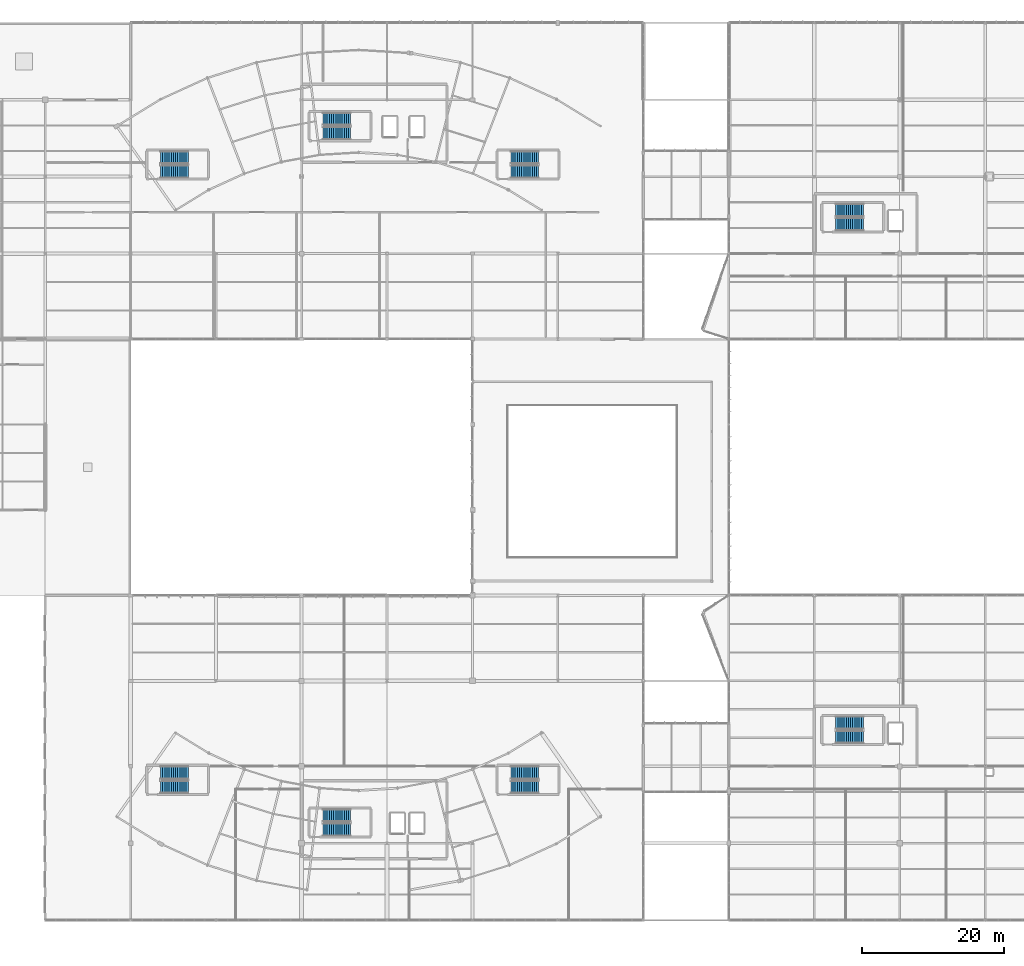
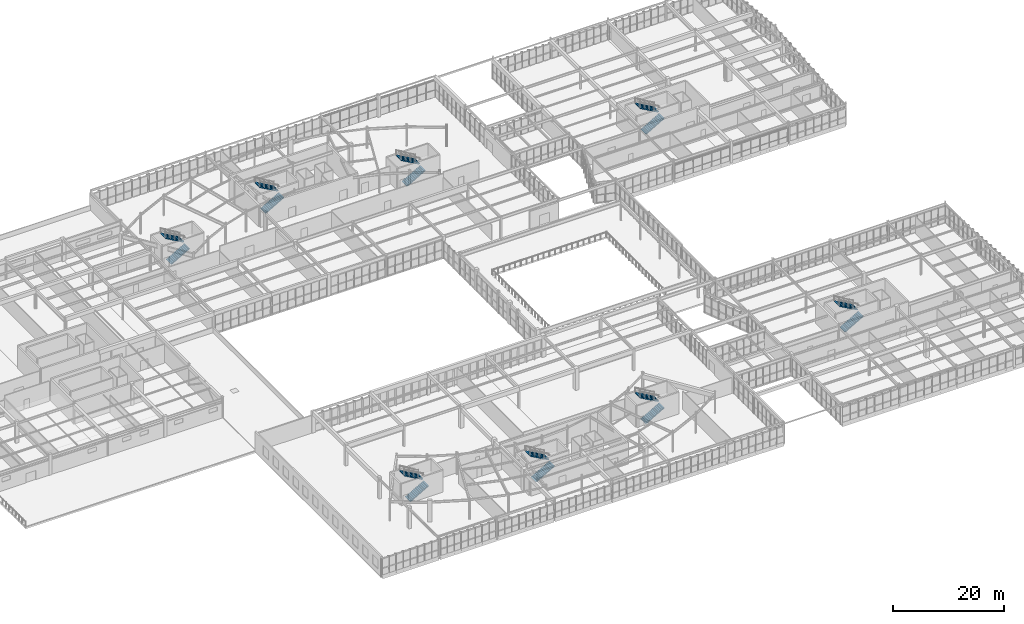
# One storey, part 163 of 186: 16 stair flights, 8 elements without a shape of their own.
"""IFC4 building model written with IfcOpenShell, lengths in metres."""

import ifcopenshell
import ifcopenshell.guid

model = None  # the IFC model being written
_history = None  # IfcOwnerHistory: only IFC2X3 demands one
_inside = {}  # id of a spatial element -> (the spatial element, [elements in it])
_under = {}  # id of a project, library or spatial element -> (it, [spatial elements below it])
_declared = {}  # id of a project -> (the project, [libraries it declares])
_typed = {}  # id of a type object -> (the type object, [elements of that type])
_made_of = {}  # id of a material, layer set ... -> (it, [elements and type objects made of it])


def new_model(schema):
    """Start an empty IFC model of exactly this schema.

    Asked for "IFC4X3", IfcOpenShell would pick the latest addendum, in which some entities
    have other attributes; the version numbers below select the first issue.
    IFC2X3 requires an IfcOwnerHistory on every rooted entity: one is made here for all.
    """
    global model, _history
    if schema == "IFC4X3":
        model = ifcopenshell.file(schema_version=(4, 3, 0, 0))
    else:
        model = ifcopenshell.file(schema=schema)
    _inside.clear()
    _under.clear()
    _declared.clear()
    _typed.clear()
    _made_of.clear()
    _history = None
    if model.schema == "IFC2X3":
        org = make("IfcOrganization", Name="unknown")
        user = make(
            "IfcPersonAndOrganization",
            ThePerson=make("IfcPerson", FamilyName="unknown"),
            TheOrganization=org,
        )
        app = make(
            "IfcApplication",
            ApplicationDeveloper=org,
            Version="unknown",
            ApplicationFullName="unknown",
            ApplicationIdentifier="unknown",
        )
        _history = make(
            "IfcOwnerHistory",
            OwningUser=user,
            OwningApplication=app,
            ChangeAction="ADDED",
            CreationDate=0,
        )
    return model


def make(cls, **values):
    """One entity of the class cls with the attributes given. An attribute that is None is left unset."""
    return model.create_entity(
        cls, **{name: value for name, value in values.items() if value is not None}
    )


def rooted(cls, **values):
    """An entity with a GlobalId (a new one), such as an element, a storey or a relation."""
    return make(cls, GlobalId=ifcopenshell.guid.new(), OwnerHistory=_history, **values)


def si_unit(unit_type, name, prefix=None):
    """IfcSIUnit, for example si_unit("LENGTHUNIT", "METRE", prefix="MILLI")."""
    return make("IfcSIUnit", UnitType=unit_type, Prefix=prefix, Name=name)


def assignment(units):
    """IfcUnitAssignment: the units of a project."""
    return None if units is None else make("IfcUnitAssignment", Units=units)


def point(xyz):
    """IfcCartesianPoint."""
    return None if xyz is None else make("IfcCartesianPoint", Coordinates=xyz)


def direction(xyz):
    """IfcDirection."""
    return None if xyz is None else make("IfcDirection", DirectionRatios=xyz)


def frame(location, z_axis=None, x_axis=None):
    """IfcAxis2Placement3D, a coordinate frame: its origin and axes. An axis left out is left unset."""
    return make(
        "IfcAxis2Placement3D",
        Location=point(location),
        Axis=direction(z_axis),
        RefDirection=direction(x_axis),
    )


def origin():
    """The frame at (0, 0, 0) with its axes left unset."""
    return frame((0.0, 0.0, 0.0))


def place(relative_to, where):
    """IfcLocalPlacement: puts the frame where relative to a parent placement (None: the world)."""
    return make(
        "IfcLocalPlacement", PlacementRelTo=relative_to, RelativePlacement=where
    )


def context(
    kind, dimensions, precision=None, world=None, true_north=None, identifier=None
):
    """IfcGeometricRepresentationContext, for example the 3D "Model" context."""
    return make(
        "IfcGeometricRepresentationContext",
        ContextIdentifier=identifier,
        ContextType=kind,
        CoordinateSpaceDimension=dimensions,
        Precision=precision,
        WorldCoordinateSystem=world,
        TrueNorth=true_north,
    )


def subcontext(parent, identifier, kind, view, scale=None):
    """IfcGeometricRepresentationSubContext, for example "Body" below "Model"."""
    return make(
        "IfcGeometricRepresentationSubContext",
        ContextIdentifier=identifier,
        ContextType=kind,
        ParentContext=parent,
        TargetScale=scale,
        TargetView=view,
    )


def project(units=None, contexts=None):
    """IfcProject with its units and contexts."""
    return rooted(
        "IfcProject",
        Name="project",
        RepresentationContexts=contexts,
        UnitsInContext=assignment(units),
    )


def spatial(cls, under=None, at=None, **own):
    """A site, building, storey or space (cls), placed at a placement, below another one or the project."""
    s = rooted(cls, ObjectPlacement=at, **own)
    if under is not None:
        _under.setdefault(under.id(), (under, []))[1].append(s)
    return s


def polyline(points):
    """IfcPolyline through the points."""
    return make("IfcPolyline", Points=[point(p) for p in points])


def outline(outer, holes=None, kind="AREA"):
    """IfcArbitraryClosedProfileDef: a profile drawn as a closed curve; with holes, ...WithVoids."""
    if holes is None:
        return make("IfcArbitraryClosedProfileDef", ProfileType=kind, OuterCurve=outer)
    return make(
        "IfcArbitraryProfileDefWithVoids",
        ProfileType=kind,
        OuterCurve=outer,
        InnerCurves=holes,
    )


def extrude(swept, where, along, depth):
    """IfcExtrudedAreaSolid: the profile swept, set in the frame where, extruded along a direction by depth."""
    return make(
        "IfcExtrudedAreaSolid",
        SweptArea=swept,
        Position=where,
        ExtrudedDirection=direction(along),
        Depth=depth,
    )


def shape(context_of_items, identifier, shape_type, items):
    """IfcShapeRepresentation: the items that make up one representation, for example the "Body"."""
    return make(
        "IfcShapeRepresentation",
        ContextOfItems=context_of_items,
        RepresentationIdentifier=identifier,
        RepresentationType=shape_type,
        Items=items,
    )


def material(Name=None, Category=None):
    """IfcMaterial."""
    return make("IfcMaterial", Name=Name, Category=Category)


def made_of(thing, what):
    """Note that an element or type object is made of a material, layer set ...; save() writes the relation."""
    if what is not None:
        _made_of.setdefault(what.id(), (what, []))[1].append(thing)
    return thing


def type_object(cls, material=None, **own):
    """A type object (cls), such as IfcWallType, which elements share."""
    return made_of(rooted(cls, **own), material)


def element(
    cls,
    number,
    at=None,
    inside=None,
    cuts=None,
    type_object=None,
    material=None,
    context=None,
    identifier="Body",
    shape_type=None,
    held_by="IfcProductDefinitionShape",
    body=None,
    shapes=None,
    **own,
):
    """One element of the class cls, such as IfcWall. Its Tag is "e" and its number.

    at: its placement. inside: the storey or other place that contains it. cuts: it is an
    opening in that element (IfcRelVoidsElement). A single representation is given by context,
    identifier, shape_type and body (its items); several are given by shapes. held_by: the class
    of the entity that holds the representations. save() writes the other relations.
    """
    e = rooted(cls, Tag="e%d" % number, ObjectPlacement=at, **own)
    if body is not None:
        shapes = [shape(context, identifier, shape_type, body)]
    if shapes is not None:
        e.Representation = make(held_by, Representations=shapes)
    if inside is not None:
        _inside.setdefault(inside.id(), (inside, []))[1].append(e)
    if cuts is not None:
        rooted(
            "IfcRelVoidsElement", RelatingBuildingElement=cuts, RelatedOpeningElement=e
        )
    if type_object is not None:
        _typed.setdefault(type_object.id(), (type_object, []))[1].append(e)
    return made_of(e, material)


def aggregate(whole, parts):
    """IfcRelAggregates: a whole, such as a stair, and the parts it consists of."""
    return rooted("IfcRelAggregates", RelatingObject=whole, RelatedObjects=parts)


def save(model, path):
    """Write the relations noted so far, then the file.

    IfcRelAggregates (storeys below a building ...), IfcRelContainedInSpatialStructure (elements
    in a storey), IfcRelDefinesByType, IfcRelAssociatesMaterial and IfcRelDeclares: one each for
    every whole, place, type object, material and project.
    """
    for whole, parts in _under.values():
        aggregate(whole, parts)
    for where, things in _inside.values():
        rooted(
            "IfcRelContainedInSpatialStructure",
            RelatedElements=things,
            RelatingStructure=where,
        )
    for kind, things in _typed.values():
        rooted("IfcRelDefinesByType", RelatedObjects=things, RelatingType=kind)
    for what, things in _made_of.values():
        rooted("IfcRelAssociatesMaterial", RelatedObjects=things, RelatingMaterial=what)
    for by, libraries in _declared.values():
        rooted("IfcRelDeclares", RelatingContext=by, RelatedDefinitions=libraries)
    model.write(path)


model = new_model("IFC4")

# Units and contexts
model_context = context("Model", 3, precision=1e-05, world=origin(), true_north=direction((0.0, 1.0)))
body_context = subcontext(model_context, "Body", "Model", "MODEL_VIEW")
ifc_project = project(units=[si_unit("LENGTHUNIT", "METRE"), si_unit("AREAUNIT", "SQUARE_METRE"), si_unit("VOLUMEUNIT", "CUBIC_METRE"), si_unit("PLANEANGLEUNIT", "RADIAN"), si_unit("MASSUNIT", "GRAM", prefix="KILO")], contexts=[model_context])

# Site, building, storey
site_placement = place(None, origin())
site = spatial("IfcSite", under=ifc_project, at=site_placement, CompositionType="ELEMENT")
building_placement = place(site_placement, origin())
building = spatial("IfcBuilding", under=site, at=building_placement, Name="Tarnwether General Hospital", CompositionType="ELEMENT")
storey_placement = place(building_placement, frame((0.0, 0.0, 9.60009765625)))
storey = spatial("IfcBuildingStorey", under=building, at=storey_placement, Name="L02", CompositionType="ELEMENT", Elevation=9.60009765625)

# Stair, stair flights
ifc_material_1 = material(Name="Concrete 40 MPa", Category="concrete")
stair_type_1 = type_object("IfcStairType", Name="ST-DL48A", PredefinedType="HALF_TURN_STAIR", material=ifc_material_1)
stair_1_placement = place(storey_placement, origin())
stair_1 = element("IfcStair", 1, at=stair_1_placement, inside=storey, type_object=stair_type_1, Name="L02 Exit Stair ST-01", PredefinedType="HALF_TURN_STAIR")
ifc_material_2 = material(Name="Concrete 40 MPa", Category="concrete")
stair_flight_type_1 = type_object("IfcStairFlightType", Name="SF-48A", PredefinedType="STRAIGHT", material=ifc_material_2)
stair_flight_1_placement = place(storey_placement, frame((87.0, 110.5, 0.0), z_axis=(0.0, 0.0, 1.0), x_axis=(1.0, 0.0, 0.0)))
stair_flight_1 = element("IfcStairFlight", 2, at=stair_flight_1_placement, type_object=stair_flight_type_1, Name="ST-01 flight 1", NumberOfRisers=14, NumberOfTreads=13, PredefinedType="STRAIGHT", RiserHeight=0.171428571, TreadLength=0.3, context=body_context, shape_type="SweptSolid", body=[
    extrude(outline(polyline([(0.0, 0.0), (0.0, 0.17138671875), (0.300048828125, 0.17138671875), (0.300048828125, 0.3427734375), (0.60009765625, 0.3427734375), (0.60009765625, 0.514404296875), (0.89990234375, 0.514404296875), (0.89990234375, 0.685791015625), (1.199951171875, 0.685791015625), (1.199951171875, 0.857177734375), (1.5, 0.857177734375), (1.5, 1.028564453125), (1.800048828125, 1.028564453125), (1.800048828125, 1.199951171875), (2.10009765625, 1.199951171875), (2.10009765625, 1.371337890625), (2.39990234375, 1.371337890625), (2.39990234375, 1.54296875), (2.699951171875, 1.54296875), (2.699951171875, 1.71435546875), (3.0, 1.71435546875), (3.0, 1.8857421875), (3.300048828125, 1.8857421875), (3.300048828125, 2.05712890625), (3.60009765625, 2.05712890625), (3.60009765625, 2.228515625), (3.89990234375, 2.228515625), (3.89990234375, 2.39990234375), (3.89990234375, 2.055908203125), (0.30224609375, 0.0), (0.0, 0.0)])), frame((0.0, 0.89990234375, 0.0), z_axis=(0.0, -1.0, 0.0), x_axis=(1.0, 0.0, 0.0)), (0.0, 0.0, 1.0), 1.800048828125),
])
stair_flight_2_placement = place(storey_placement, frame((90.89990234375, 112.5, 2.39990234375), z_axis=(0.0, 0.0, 1.0), x_axis=(-1.0, 0.0, 0.0)))
stair_flight_2 = element("IfcStairFlight", 3, at=stair_flight_2_placement, type_object=stair_flight_type_1, Name="ST-01 flight 2", NumberOfRisers=14, NumberOfTreads=13, PredefinedType="STRAIGHT", RiserHeight=0.171428571, TreadLength=0.3, context=body_context, shape_type="SweptSolid", body=[
    extrude(outline(polyline([(0.0, 0.0), (0.0, 0.17138671875), (0.300048828125, 0.17138671875), (0.300048828125, 0.3427734375), (0.60009765625, 0.3427734375), (0.60009765625, 0.514404296875), (0.89990234375, 0.514404296875), (0.89990234375, 0.685791015625), (1.199951171875, 0.685791015625), (1.199951171875, 0.857177734375), (1.5, 0.857177734375), (1.5, 1.028564453125), (1.800048828125, 1.028564453125), (1.800048828125, 1.199951171875), (2.10009765625, 1.199951171875), (2.10009765625, 1.371337890625), (2.39990234375, 1.371337890625), (2.39990234375, 1.54296875), (2.699951171875, 1.54296875), (2.699951171875, 1.71435546875), (3.0, 1.71435546875), (3.0, 1.8857421875), (3.300048828125, 1.8857421875), (3.300048828125, 2.05712890625), (3.60009765625, 2.05712890625), (3.60009765625, 2.228515625), (3.89990234375, 2.228515625), (3.89990234375, 2.39990234375), (3.89990234375, 2.055908203125), (0.30224609375, 0.0), (0.0, 0.0)])), frame((0.0, 0.89990234375, 0.0), z_axis=(0.0, -1.0, 0.0), x_axis=(1.0, 0.0, 0.0)), (0.0, 0.0, 1.0), 1.800048828125),
])
aggregate(stair_1, [stair_flight_1, stair_flight_2])

stair_2_placement = place(storey_placement, origin())
stair_2 = element("IfcStair", 4, at=stair_2_placement, inside=storey, type_object=stair_type_1, Name="L02 Exit Stair ST-05", PredefinedType="HALF_TURN_STAIR")
stair_flight_3_placement = place(storey_placement, frame((159.0, 25.699951171875, 0.0), z_axis=(0.0, 0.0, 1.0), x_axis=(1.0, 0.0, 0.0)))
stair_flight_3 = element("IfcStairFlight", 5, at=stair_flight_3_placement, type_object=stair_flight_type_1, Name="ST-05 flight 1", NumberOfRisers=14, NumberOfTreads=13, PredefinedType="STRAIGHT", RiserHeight=0.171428571, TreadLength=0.3, context=body_context, shape_type="SweptSolid", body=[
    extrude(outline(polyline([(0.0, 0.0), (0.0, 0.17138671875), (0.300048828125, 0.17138671875), (0.300048828125, 0.3427734375), (0.60009765625, 0.3427734375), (0.60009765625, 0.514404296875), (0.89990234375, 0.514404296875), (0.89990234375, 0.685791015625), (1.199951171875, 0.685791015625), (1.199951171875, 0.857177734375), (1.5, 0.857177734375), (1.5, 1.028564453125), (1.800048828125, 1.028564453125), (1.800048828125, 1.199951171875), (2.10009765625, 1.199951171875), (2.10009765625, 1.371337890625), (2.39990234375, 1.371337890625), (2.39990234375, 1.54296875), (2.699951171875, 1.54296875), (2.699951171875, 1.71435546875), (3.0, 1.71435546875), (3.0, 1.8857421875), (3.300048828125, 1.8857421875), (3.300048828125, 2.05712890625), (3.60009765625, 2.05712890625), (3.60009765625, 2.228515625), (3.89990234375, 2.228515625), (3.89990234375, 2.39990234375), (3.89990234375, 2.055908203125), (0.30224609375, 0.0), (0.0, 0.0)])), frame((0.0, 0.89990234375, 0.0), z_axis=(0.0, -1.0, 0.0), x_axis=(1.0, 0.0, 0.0)), (0.0, 0.0, 1.0), 1.800048828125),
])
stair_flight_4_placement = place(storey_placement, frame((162.89990234375, 27.699951171875, 2.39990234375), z_axis=(0.0, 0.0, 1.0), x_axis=(-1.0, 0.0, 0.0)))
stair_flight_4 = element("IfcStairFlight", 6, at=stair_flight_4_placement, type_object=stair_flight_type_1, Name="ST-05 flight 2", NumberOfRisers=14, NumberOfTreads=13, PredefinedType="STRAIGHT", RiserHeight=0.171428571, TreadLength=0.3, context=body_context, shape_type="SweptSolid", body=[
    extrude(outline(polyline([(0.0, 0.0), (0.0, 0.17138671875), (0.300048828125, 0.17138671875), (0.300048828125, 0.3427734375), (0.60009765625, 0.3427734375), (0.60009765625, 0.514404296875), (0.89990234375, 0.514404296875), (0.89990234375, 0.685791015625), (1.199951171875, 0.685791015625), (1.199951171875, 0.857177734375), (1.5, 0.857177734375), (1.5, 1.028564453125), (1.800048828125, 1.028564453125), (1.800048828125, 1.199951171875), (2.10009765625, 1.199951171875), (2.10009765625, 1.371337890625), (2.39990234375, 1.371337890625), (2.39990234375, 1.54296875), (2.699951171875, 1.54296875), (2.699951171875, 1.71435546875), (3.0, 1.71435546875), (3.0, 1.8857421875), (3.300048828125, 1.8857421875), (3.300048828125, 2.05712890625), (3.60009765625, 2.05712890625), (3.60009765625, 2.228515625), (3.89990234375, 2.228515625), (3.89990234375, 2.39990234375), (3.89990234375, 2.055908203125), (0.30224609375, 0.0), (0.0, 0.0)])), frame((0.0, 0.89990234375, 0.0), z_axis=(0.0, -1.0, 0.0), x_axis=(1.0, 0.0, 0.0)), (0.0, 0.0, 1.0), 1.800048828125),
])
aggregate(stair_2, [stair_flight_3, stair_flight_4])

stair_3_placement = place(storey_placement, origin())
stair_3 = element("IfcStair", 7, at=stair_3_placement, inside=storey, type_object=stair_type_1, Name="L02 Exit Stair ST-07", PredefinedType="HALF_TURN_STAIR")
stair_flight_5_placement = place(storey_placement, frame((64.199951171875, 105.10009765625, 0.0), z_axis=(0.0, 0.0, 1.0), x_axis=(1.0, 0.0, 0.0)))
stair_flight_5 = element("IfcStairFlight", 8, at=stair_flight_5_placement, type_object=stair_flight_type_1, Name="ST-07 flight 1", NumberOfRisers=14, NumberOfTreads=13, PredefinedType="STRAIGHT", RiserHeight=0.171428571, TreadLength=0.3, context=body_context, shape_type="SweptSolid", body=[
    extrude(outline(polyline([(0.0, 0.0), (0.0, 0.17138671875), (0.300048828125, 0.17138671875), (0.300048828125, 0.3427734375), (0.60009765625, 0.3427734375), (0.60009765625, 0.514404296875), (0.89990234375, 0.514404296875), (0.89990234375, 0.685791015625), (1.199951171875, 0.685791015625), (1.199951171875, 0.857177734375), (1.5, 0.857177734375), (1.5, 1.028564453125), (1.800048828125, 1.028564453125), (1.800048828125, 1.199951171875), (2.10009765625, 1.199951171875), (2.10009765625, 1.371337890625), (2.39990234375, 1.371337890625), (2.39990234375, 1.54296875), (2.699951171875, 1.54296875), (2.699951171875, 1.71435546875), (3.0, 1.71435546875), (3.0, 1.8857421875), (3.300048828125, 1.8857421875), (3.300048828125, 2.05712890625), (3.60009765625, 2.05712890625), (3.60009765625, 2.228515625), (3.89990234375, 2.228515625), (3.89990234375, 2.39990234375), (3.89990234375, 2.055908203125), (0.30224609375, 0.0), (0.0, 0.0)])), frame((0.0, 0.89990234375, 0.0), z_axis=(0.0, -1.0, 0.0), x_axis=(1.0, 0.0, 0.0)), (0.0, 0.0, 1.0), 1.800048828125),
])
stair_flight_6_placement = place(storey_placement, frame((68.10009765625, 107.10009765625, 2.39990234375), z_axis=(0.0, 0.0, 1.0), x_axis=(-1.0, 0.0, 0.0)))
stair_flight_6 = element("IfcStairFlight", 9, at=stair_flight_6_placement, type_object=stair_flight_type_1, Name="ST-07 flight 2", NumberOfRisers=14, NumberOfTreads=13, PredefinedType="STRAIGHT", RiserHeight=0.171428571, TreadLength=0.3, context=body_context, shape_type="SweptSolid", body=[
    extrude(outline(polyline([(0.0, 0.0), (0.0, 0.17138671875), (0.300048828125, 0.17138671875), (0.300048828125, 0.3427734375), (0.60009765625, 0.3427734375), (0.60009765625, 0.514404296875), (0.89990234375, 0.514404296875), (0.89990234375, 0.685791015625), (1.199951171875, 0.685791015625), (1.199951171875, 0.857177734375), (1.5, 0.857177734375), (1.5, 1.028564453125), (1.800048828125, 1.028564453125), (1.800048828125, 1.199951171875), (2.10009765625, 1.199951171875), (2.10009765625, 1.371337890625), (2.39990234375, 1.371337890625), (2.39990234375, 1.54296875), (2.699951171875, 1.54296875), (2.699951171875, 1.71435546875), (3.0, 1.71435546875), (3.0, 1.8857421875), (3.300048828125, 1.8857421875), (3.300048828125, 2.05712890625), (3.60009765625, 2.05712890625), (3.60009765625, 2.228515625), (3.89990234375, 2.228515625), (3.89990234375, 2.39990234375), (3.89990234375, 2.055908203125), (0.30224609375, 0.0), (0.0, 0.0)])), frame((0.0, 0.89990234375, 0.0), z_axis=(0.0, -1.0, 0.0), x_axis=(1.0, 0.0, 0.0)), (0.0, 0.0, 1.0), 1.800048828125),
])
aggregate(stair_3, [stair_flight_5, stair_flight_6])

stair_4_placement = place(storey_placement, origin())
stair_4 = element("IfcStair", 10, at=stair_4_placement, inside=storey, type_object=stair_type_1, Name="L02 Exit Stair ST-09", PredefinedType="HALF_TURN_STAIR")
stair_flight_7_placement = place(storey_placement, frame((64.199951171875, 18.699951171875, 0.0), z_axis=(0.0, 0.0, 1.0), x_axis=(1.0, 0.0, 0.0)))
stair_flight_7 = element("IfcStairFlight", 11, at=stair_flight_7_placement, type_object=stair_flight_type_1, Name="ST-09 flight 1", NumberOfRisers=14, NumberOfTreads=13, PredefinedType="STRAIGHT", RiserHeight=0.171428571, TreadLength=0.3, context=body_context, shape_type="SweptSolid", body=[
    extrude(outline(polyline([(0.0, 0.0), (0.0, 0.17138671875), (0.300048828125, 0.17138671875), (0.300048828125, 0.3427734375), (0.60009765625, 0.3427734375), (0.60009765625, 0.514404296875), (0.89990234375, 0.514404296875), (0.89990234375, 0.685791015625), (1.199951171875, 0.685791015625), (1.199951171875, 0.857177734375), (1.5, 0.857177734375), (1.5, 1.028564453125), (1.800048828125, 1.028564453125), (1.800048828125, 1.199951171875), (2.10009765625, 1.199951171875), (2.10009765625, 1.371337890625), (2.39990234375, 1.371337890625), (2.39990234375, 1.54296875), (2.699951171875, 1.54296875), (2.699951171875, 1.71435546875), (3.0, 1.71435546875), (3.0, 1.8857421875), (3.300048828125, 1.8857421875), (3.300048828125, 2.05712890625), (3.60009765625, 2.05712890625), (3.60009765625, 2.228515625), (3.89990234375, 2.228515625), (3.89990234375, 2.39990234375), (3.89990234375, 2.055908203125), (0.30224609375, 0.0), (0.0, 0.0)])), frame((0.0, 0.89990234375, 0.0), z_axis=(0.0, -1.0, 0.0), x_axis=(1.0, 0.0, 0.0)), (0.0, 0.0, 1.0), 1.800048828125),
])
stair_flight_8_placement = place(storey_placement, frame((68.10009765625, 20.699951171875, 2.39990234375), z_axis=(0.0, 0.0, 1.0), x_axis=(-1.0, 0.0, 0.0)))
stair_flight_8 = element("IfcStairFlight", 12, at=stair_flight_8_placement, type_object=stair_flight_type_1, Name="ST-09 flight 2", NumberOfRisers=14, NumberOfTreads=13, PredefinedType="STRAIGHT", RiserHeight=0.171428571, TreadLength=0.3, context=body_context, shape_type="SweptSolid", body=[
    extrude(outline(polyline([(0.0, 0.0), (0.0, 0.17138671875), (0.300048828125, 0.17138671875), (0.300048828125, 0.3427734375), (0.60009765625, 0.3427734375), (0.60009765625, 0.514404296875), (0.89990234375, 0.514404296875), (0.89990234375, 0.685791015625), (1.199951171875, 0.685791015625), (1.199951171875, 0.857177734375), (1.5, 0.857177734375), (1.5, 1.028564453125), (1.800048828125, 1.028564453125), (1.800048828125, 1.199951171875), (2.10009765625, 1.199951171875), (2.10009765625, 1.371337890625), (2.39990234375, 1.371337890625), (2.39990234375, 1.54296875), (2.699951171875, 1.54296875), (2.699951171875, 1.71435546875), (3.0, 1.71435546875), (3.0, 1.8857421875), (3.300048828125, 1.8857421875), (3.300048828125, 2.05712890625), (3.60009765625, 2.05712890625), (3.60009765625, 2.228515625), (3.89990234375, 2.228515625), (3.89990234375, 2.39990234375), (3.89990234375, 2.055908203125), (0.30224609375, 0.0), (0.0, 0.0)])), frame((0.0, 0.89990234375, 0.0), z_axis=(0.0, -1.0, 0.0), x_axis=(1.0, 0.0, 0.0)), (0.0, 0.0, 1.0), 1.800048828125),
])
aggregate(stair_4, [stair_flight_7, stair_flight_8])

ifc_material_3 = material(Name="Concrete 40 MPa", Category="concrete")
stair_type_2 = type_object("IfcStairType", Name="ST-DL48B", PredefinedType="HALF_TURN_STAIR", material=ifc_material_3)
stair_5_placement = place(storey_placement, origin())
stair_5 = element("IfcStair", 13, at=stair_5_placement, inside=storey, type_object=stair_type_2, Name="L02 Exit Stair ST-02", PredefinedType="HALF_TURN_STAIR")
ifc_material_4 = material(Name="Concrete 40 MPa", Category="concrete")
stair_flight_type_2 = type_object("IfcStairFlightType", Name="SF-48B", PredefinedType="STRAIGHT", material=ifc_material_4)
stair_flight_9_placement = place(storey_placement, frame((87.0, 12.699951171875, 0.0), z_axis=(0.0, 0.0, 1.0), x_axis=(1.0, 0.0, 0.0)))
stair_flight_9 = element("IfcStairFlight", 14, at=stair_flight_9_placement, type_object=stair_flight_type_2, Name="ST-02 flight 1", NumberOfRisers=14, NumberOfTreads=13, PredefinedType="STRAIGHT", RiserHeight=0.171428571, TreadLength=0.3, context=body_context, shape_type="SweptSolid", body=[
    extrude(outline(polyline([(0.0, 0.0), (0.0, 0.17138671875), (0.300048828125, 0.17138671875), (0.300048828125, 0.3427734375), (0.60009765625, 0.3427734375), (0.60009765625, 0.514404296875), (0.89990234375, 0.514404296875), (0.89990234375, 0.685791015625), (1.199951171875, 0.685791015625), (1.199951171875, 0.857177734375), (1.5, 0.857177734375), (1.5, 1.028564453125), (1.800048828125, 1.028564453125), (1.800048828125, 1.199951171875), (2.10009765625, 1.199951171875), (2.10009765625, 1.371337890625), (2.39990234375, 1.371337890625), (2.39990234375, 1.54296875), (2.699951171875, 1.54296875), (2.699951171875, 1.71435546875), (3.0, 1.71435546875), (3.0, 1.8857421875), (3.300048828125, 1.8857421875), (3.300048828125, 2.05712890625), (3.60009765625, 2.05712890625), (3.60009765625, 2.228515625), (3.89990234375, 2.228515625), (3.89990234375, 2.39990234375), (3.89990234375, 2.055908203125), (0.30224609375, 0.0), (0.0, 0.0)])), frame((0.0, 0.89990234375, 0.0), z_axis=(0.0, -1.0, 0.0), x_axis=(1.0, 0.0, 0.0)), (0.0, 0.0, 1.0), 1.800048828125),
])
stair_flight_10_placement = place(storey_placement, frame((90.89990234375, 14.699951171875, 2.39990234375), z_axis=(0.0, 0.0, 1.0), x_axis=(-1.0, 0.0, 0.0)))
stair_flight_10 = element("IfcStairFlight", 15, at=stair_flight_10_placement, type_object=stair_flight_type_2, Name="ST-02 flight 2", NumberOfRisers=14, NumberOfTreads=13, PredefinedType="STRAIGHT", RiserHeight=0.171428571, TreadLength=0.3, context=body_context, shape_type="SweptSolid", body=[
    extrude(outline(polyline([(0.0, 0.0), (0.0, 0.17138671875), (0.300048828125, 0.17138671875), (0.300048828125, 0.3427734375), (0.60009765625, 0.3427734375), (0.60009765625, 0.514404296875), (0.89990234375, 0.514404296875), (0.89990234375, 0.685791015625), (1.199951171875, 0.685791015625), (1.199951171875, 0.857177734375), (1.5, 0.857177734375), (1.5, 1.028564453125), (1.800048828125, 1.028564453125), (1.800048828125, 1.199951171875), (2.10009765625, 1.199951171875), (2.10009765625, 1.371337890625), (2.39990234375, 1.371337890625), (2.39990234375, 1.54296875), (2.699951171875, 1.54296875), (2.699951171875, 1.71435546875), (3.0, 1.71435546875), (3.0, 1.8857421875), (3.300048828125, 1.8857421875), (3.300048828125, 2.05712890625), (3.60009765625, 2.05712890625), (3.60009765625, 2.228515625), (3.89990234375, 2.228515625), (3.89990234375, 2.39990234375), (3.89990234375, 2.055908203125), (0.30224609375, 0.0), (0.0, 0.0)])), frame((0.0, 0.89990234375, 0.0), z_axis=(0.0, -1.0, 0.0), x_axis=(1.0, 0.0, 0.0)), (0.0, 0.0, 1.0), 1.800048828125),
])
aggregate(stair_5, [stair_flight_9, stair_flight_10])

stair_6_placement = place(storey_placement, origin())
stair_6 = element("IfcStair", 16, at=stair_6_placement, inside=storey, type_object=stair_type_2, Name="L02 Exit Stair ST-06", PredefinedType="HALF_TURN_STAIR")
stair_flight_11_placement = place(storey_placement, frame((159.0, 97.699951171875, 0.0), z_axis=(0.0, 0.0, 1.0), x_axis=(1.0, 0.0, 0.0)))
stair_flight_11 = element("IfcStairFlight", 17, at=stair_flight_11_placement, type_object=stair_flight_type_2, Name="ST-06 flight 1", NumberOfRisers=14, NumberOfTreads=13, PredefinedType="STRAIGHT", RiserHeight=0.171428571, TreadLength=0.3, context=body_context, shape_type="SweptSolid", body=[
    extrude(outline(polyline([(0.0, 0.0), (0.0, 0.17138671875), (0.300048828125, 0.17138671875), (0.300048828125, 0.3427734375), (0.60009765625, 0.3427734375), (0.60009765625, 0.514404296875), (0.89990234375, 0.514404296875), (0.89990234375, 0.685791015625), (1.199951171875, 0.685791015625), (1.199951171875, 0.857177734375), (1.5, 0.857177734375), (1.5, 1.028564453125), (1.800048828125, 1.028564453125), (1.800048828125, 1.199951171875), (2.10009765625, 1.199951171875), (2.10009765625, 1.371337890625), (2.39990234375, 1.371337890625), (2.39990234375, 1.54296875), (2.699951171875, 1.54296875), (2.699951171875, 1.71435546875), (3.0, 1.71435546875), (3.0, 1.8857421875), (3.300048828125, 1.8857421875), (3.300048828125, 2.05712890625), (3.60009765625, 2.05712890625), (3.60009765625, 2.228515625), (3.89990234375, 2.228515625), (3.89990234375, 2.39990234375), (3.89990234375, 2.055908203125), (0.30224609375, 0.0), (0.0, 0.0)])), frame((0.0, 0.89990234375, 0.0), z_axis=(0.0, -1.0, 0.0), x_axis=(1.0, 0.0, 0.0)), (0.0, 0.0, 1.0), 1.800048828125),
])
stair_flight_12_placement = place(storey_placement, frame((162.89990234375, 99.699951171875, 2.39990234375), z_axis=(0.0, 0.0, 1.0), x_axis=(-1.0, 0.0, 0.0)))
stair_flight_12 = element("IfcStairFlight", 18, at=stair_flight_12_placement, type_object=stair_flight_type_2, Name="ST-06 flight 2", NumberOfRisers=14, NumberOfTreads=13, PredefinedType="STRAIGHT", RiserHeight=0.171428571, TreadLength=0.3, context=body_context, shape_type="SweptSolid", body=[
    extrude(outline(polyline([(0.0, 0.0), (0.0, 0.17138671875), (0.300048828125, 0.17138671875), (0.300048828125, 0.3427734375), (0.60009765625, 0.3427734375), (0.60009765625, 0.514404296875), (0.89990234375, 0.514404296875), (0.89990234375, 0.685791015625), (1.199951171875, 0.685791015625), (1.199951171875, 0.857177734375), (1.5, 0.857177734375), (1.5, 1.028564453125), (1.800048828125, 1.028564453125), (1.800048828125, 1.199951171875), (2.10009765625, 1.199951171875), (2.10009765625, 1.371337890625), (2.39990234375, 1.371337890625), (2.39990234375, 1.54296875), (2.699951171875, 1.54296875), (2.699951171875, 1.71435546875), (3.0, 1.71435546875), (3.0, 1.8857421875), (3.300048828125, 1.8857421875), (3.300048828125, 2.05712890625), (3.60009765625, 2.05712890625), (3.60009765625, 2.228515625), (3.89990234375, 2.228515625), (3.89990234375, 2.39990234375), (3.89990234375, 2.055908203125), (0.30224609375, 0.0), (0.0, 0.0)])), frame((0.0, 0.89990234375, 0.0), z_axis=(0.0, -1.0, 0.0), x_axis=(1.0, 0.0, 0.0)), (0.0, 0.0, 1.0), 1.800048828125),
])
aggregate(stair_6, [stair_flight_11, stair_flight_12])

stair_7_placement = place(storey_placement, origin())
stair_7 = element("IfcStair", 19, at=stair_7_placement, inside=storey, type_object=stair_type_2, Name="L02 Exit Stair ST-08", PredefinedType="HALF_TURN_STAIR")
stair_flight_13_placement = place(storey_placement, frame((113.39990234375, 105.10009765625, 0.0), z_axis=(0.0, 0.0, 1.0), x_axis=(1.0, 0.0, 0.0)))
stair_flight_13 = element("IfcStairFlight", 20, at=stair_flight_13_placement, type_object=stair_flight_type_2, Name="ST-08 flight 1", NumberOfRisers=14, NumberOfTreads=13, PredefinedType="STRAIGHT", RiserHeight=0.171428571, TreadLength=0.3, context=body_context, shape_type="SweptSolid", body=[
    extrude(outline(polyline([(0.0, 0.0), (0.0, 0.17138671875), (0.300048828125, 0.17138671875), (0.300048828125, 0.3427734375), (0.60009765625, 0.3427734375), (0.60009765625, 0.514404296875), (0.89990234375, 0.514404296875), (0.89990234375, 0.685791015625), (1.199951171875, 0.685791015625), (1.199951171875, 0.857177734375), (1.5, 0.857177734375), (1.5, 1.028564453125), (1.800048828125, 1.028564453125), (1.800048828125, 1.199951171875), (2.10009765625, 1.199951171875), (2.10009765625, 1.371337890625), (2.39990234375, 1.371337890625), (2.39990234375, 1.54296875), (2.699951171875, 1.54296875), (2.699951171875, 1.71435546875), (3.0, 1.71435546875), (3.0, 1.8857421875), (3.300048828125, 1.8857421875), (3.300048828125, 2.05712890625), (3.60009765625, 2.05712890625), (3.60009765625, 2.228515625), (3.89990234375, 2.228515625), (3.89990234375, 2.39990234375), (3.89990234375, 2.055908203125), (0.30224609375, 0.0), (0.0, 0.0)])), frame((0.0, 0.89990234375, 0.0), z_axis=(0.0, -1.0, 0.0), x_axis=(1.0, 0.0, 0.0)), (0.0, 0.0, 1.0), 1.800048828125),
])
stair_flight_14_placement = place(storey_placement, frame((117.300048828125, 107.10009765625, 2.39990234375), z_axis=(0.0, 0.0, 1.0), x_axis=(-1.0, 0.0, 0.0)))
stair_flight_14 = element("IfcStairFlight", 21, at=stair_flight_14_placement, type_object=stair_flight_type_2, Name="ST-08 flight 2", NumberOfRisers=14, NumberOfTreads=13, PredefinedType="STRAIGHT", RiserHeight=0.171428571, TreadLength=0.3, context=body_context, shape_type="SweptSolid", body=[
    extrude(outline(polyline([(0.0, 0.0), (0.0, 0.17138671875), (0.300048828125, 0.17138671875), (0.300048828125, 0.3427734375), (0.60009765625, 0.3427734375), (0.60009765625, 0.514404296875), (0.89990234375, 0.514404296875), (0.89990234375, 0.685791015625), (1.199951171875, 0.685791015625), (1.199951171875, 0.857177734375), (1.5, 0.857177734375), (1.5, 1.028564453125), (1.800048828125, 1.028564453125), (1.800048828125, 1.199951171875), (2.10009765625, 1.199951171875), (2.10009765625, 1.371337890625), (2.39990234375, 1.371337890625), (2.39990234375, 1.54296875), (2.699951171875, 1.54296875), (2.699951171875, 1.71435546875), (3.0, 1.71435546875), (3.0, 1.8857421875), (3.300048828125, 1.8857421875), (3.300048828125, 2.05712890625), (3.60009765625, 2.05712890625), (3.60009765625, 2.228515625), (3.89990234375, 2.228515625), (3.89990234375, 2.39990234375), (3.89990234375, 2.055908203125), (0.30224609375, 0.0), (0.0, 0.0)])), frame((0.0, 0.89990234375, 0.0), z_axis=(0.0, -1.0, 0.0), x_axis=(1.0, 0.0, 0.0)), (0.0, 0.0, 1.0), 1.800048828125),
])
aggregate(stair_7, [stair_flight_13, stair_flight_14])

stair_8_placement = place(storey_placement, origin())
stair_8 = element("IfcStair", 22, at=stair_8_placement, inside=storey, type_object=stair_type_2, Name="L02 Exit Stair ST-10", PredefinedType="HALF_TURN_STAIR")
stair_flight_15_placement = place(storey_placement, frame((113.39990234375, 18.699951171875, 0.0), z_axis=(0.0, 0.0, 1.0), x_axis=(1.0, 0.0, 0.0)))
stair_flight_15 = element("IfcStairFlight", 23, at=stair_flight_15_placement, type_object=stair_flight_type_2, Name="ST-10 flight 1", NumberOfRisers=14, NumberOfTreads=13, PredefinedType="STRAIGHT", RiserHeight=0.171428571, TreadLength=0.3, context=body_context, shape_type="SweptSolid", body=[
    extrude(outline(polyline([(0.0, 0.0), (0.0, 0.17138671875), (0.300048828125, 0.17138671875), (0.300048828125, 0.3427734375), (0.60009765625, 0.3427734375), (0.60009765625, 0.514404296875), (0.89990234375, 0.514404296875), (0.89990234375, 0.685791015625), (1.199951171875, 0.685791015625), (1.199951171875, 0.857177734375), (1.5, 0.857177734375), (1.5, 1.028564453125), (1.800048828125, 1.028564453125), (1.800048828125, 1.199951171875), (2.10009765625, 1.199951171875), (2.10009765625, 1.371337890625), (2.39990234375, 1.371337890625), (2.39990234375, 1.54296875), (2.699951171875, 1.54296875), (2.699951171875, 1.71435546875), (3.0, 1.71435546875), (3.0, 1.8857421875), (3.300048828125, 1.8857421875), (3.300048828125, 2.05712890625), (3.60009765625, 2.05712890625), (3.60009765625, 2.228515625), (3.89990234375, 2.228515625), (3.89990234375, 2.39990234375), (3.89990234375, 2.055908203125), (0.30224609375, 0.0), (0.0, 0.0)])), frame((0.0, 0.89990234375, 0.0), z_axis=(0.0, -1.0, 0.0), x_axis=(1.0, 0.0, 0.0)), (0.0, 0.0, 1.0), 1.800048828125),
])
stair_flight_16_placement = place(storey_placement, frame((117.300048828125, 20.699951171875, 2.39990234375), z_axis=(0.0, 0.0, 1.0), x_axis=(-1.0, 0.0, 0.0)))
stair_flight_16 = element("IfcStairFlight", 24, at=stair_flight_16_placement, type_object=stair_flight_type_2, Name="ST-10 flight 2", NumberOfRisers=14, NumberOfTreads=13, PredefinedType="STRAIGHT", RiserHeight=0.171428571, TreadLength=0.3, context=body_context, shape_type="SweptSolid", body=[
    extrude(outline(polyline([(0.0, 0.0), (0.0, 0.17138671875), (0.300048828125, 0.17138671875), (0.300048828125, 0.3427734375), (0.60009765625, 0.3427734375), (0.60009765625, 0.514404296875), (0.89990234375, 0.514404296875), (0.89990234375, 0.685791015625), (1.199951171875, 0.685791015625), (1.199951171875, 0.857177734375), (1.5, 0.857177734375), (1.5, 1.028564453125), (1.800048828125, 1.028564453125), (1.800048828125, 1.199951171875), (2.10009765625, 1.199951171875), (2.10009765625, 1.371337890625), (2.39990234375, 1.371337890625), (2.39990234375, 1.54296875), (2.699951171875, 1.54296875), (2.699951171875, 1.71435546875), (3.0, 1.71435546875), (3.0, 1.8857421875), (3.300048828125, 1.8857421875), (3.300048828125, 2.05712890625), (3.60009765625, 2.05712890625), (3.60009765625, 2.228515625), (3.89990234375, 2.228515625), (3.89990234375, 2.39990234375), (3.89990234375, 2.055908203125), (0.30224609375, 0.0), (0.0, 0.0)])), frame((0.0, 0.89990234375, 0.0), z_axis=(0.0, -1.0, 0.0), x_axis=(1.0, 0.0, 0.0)), (0.0, 0.0, 1.0), 1.800048828125),
])
aggregate(stair_8, [stair_flight_15, stair_flight_16])

save(model, "model.ifc")
